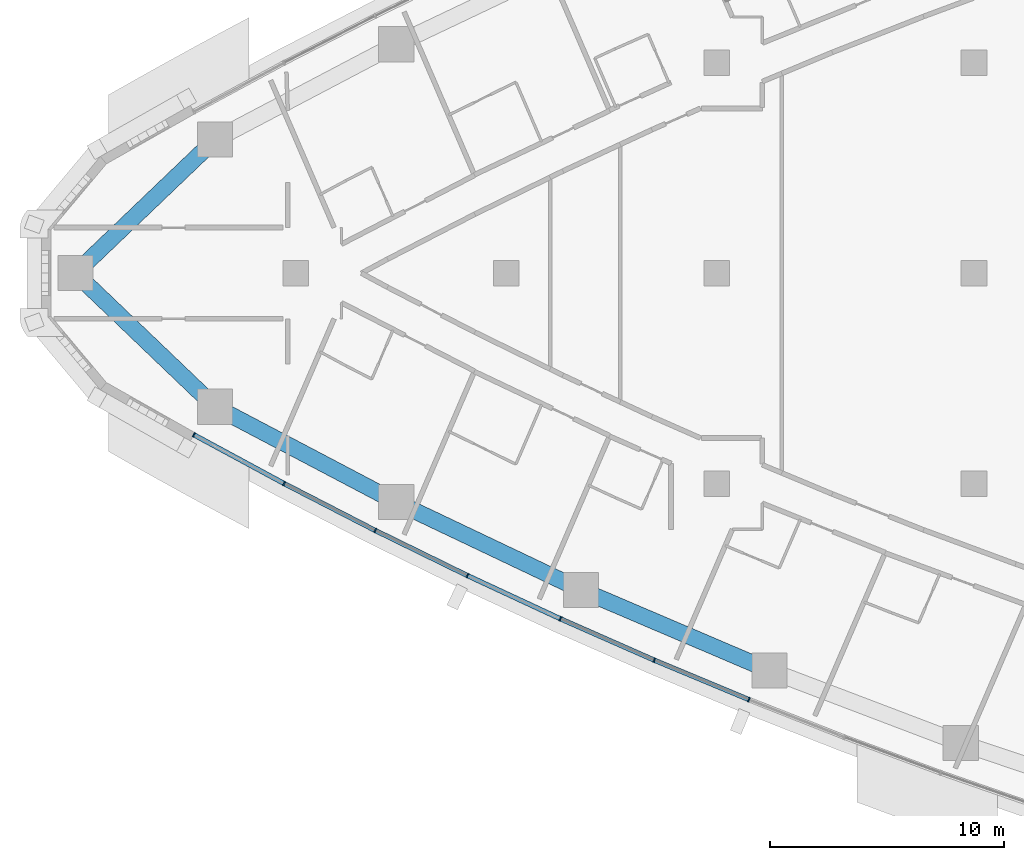
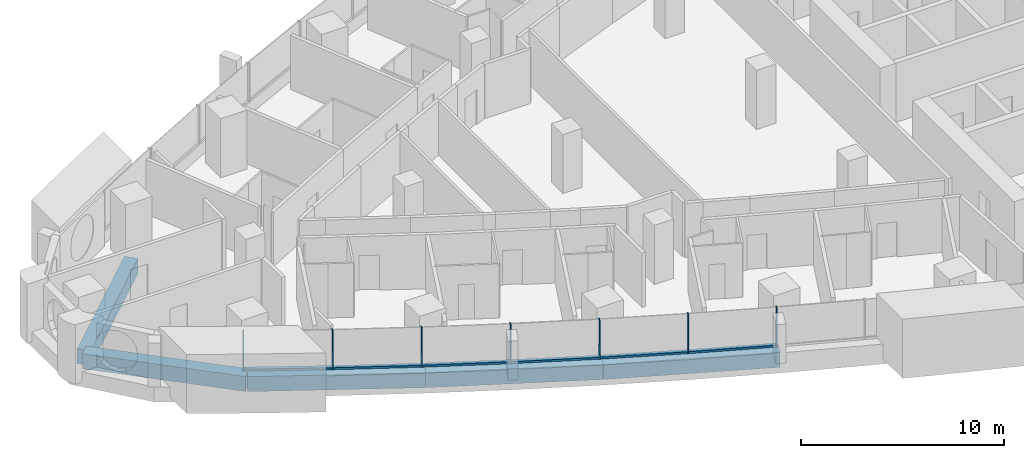
# One storey, part 2 of 17: 13 members, 5 beams, 3 elements without a shape of their own.
"""IFC4 building model written with IfcOpenShell, lengths in metres."""

from ifc_helpers import new_model, si_unit, direction, frame, origin, origin_2d, place, context, subcontext, project, spatial, rectangle, extrude, material, layer, layer_set, material_profile, profile_set, type_object, element, aggregate, save


model = new_model("IFC4")

# Units and contexts
model_context = context("Model", 3, precision=1e-05, world=origin(), true_north=direction((0.0, 1.0)))
body_context = subcontext(model_context, "Body", "Model", "MODEL_VIEW")
ifc_project = project(units=[si_unit("LENGTHUNIT", "METRE"), si_unit("AREAUNIT", "SQUARE_METRE"), si_unit("VOLUMEUNIT", "CUBIC_METRE"), si_unit("PLANEANGLEUNIT", "RADIAN"), si_unit("MASSUNIT", "GRAM", prefix="KILO")], contexts=[model_context])

# Site, building, storey
site_placement = place(None, origin())
site = spatial("IfcSite", under=ifc_project, at=site_placement, CompositionType="ELEMENT")
building_placement = place(site_placement, origin())
building = spatial("IfcBuilding", under=site, at=building_placement, Name="Ostrand Prow Hotel Tower", CompositionType="ELEMENT")
storey_placement = place(building_placement, frame((0.0, 0.0, 151.5)))
storey = spatial("IfcBuildingStorey", under=building, at=storey_placement, Name="L37", CompositionType="ELEMENT", Elevation=151.5)

# Beams
ifc_material_1 = material(Name="Concrete C70/85", Category="concrete")
ifc_material_profile_1 = material_profile(ifc_material_1, rectangle(XDim=0.699951171875, YDim=0.89990234375, at=origin_2d()), Name="RC 700x900")
ifc_profile_set_1 = profile_set([ifc_material_profile_1], Name="Concrete C70/85")
beam_type = type_object("IfcBeamType", Name="Edge beam 700x900 C70/85", PredefinedType="SPANDREL", material=ifc_profile_set_1)
beam_1_placement = place(storey_placement, frame((6.580078125, 0.0, -0.75), z_axis=(0.722689968521, -0.691172344209, 0.0), x_axis=(0.691172344209, 0.722689968521, 0.0)))
element("IfcBeam", 1, at=beam_1_placement, inside=storey, type_object=beam_type, Name="Edge beam P-S1", PredefinedType="SPANDREL", context=body_context, shape_type="SweptSolid", body=[
    extrude(rectangle(XDim=0.699951171875, YDim=0.89990234375, at=origin_2d()), origin(), (0.0, 0.0, 1.0), 8.26513671875),
])
for number, where, z_axis, x_axis, name in (
    (2, (12.55322265625, -5.712646484375, -0.75), (0.885016215308, -0.465560198731, 0.0), (0.465560198731, 0.885016215308, 0.0), "Edge beam S1-S2"),
    (3, (20.300048828125, -9.787841796875, -0.75), (0.903083113352, -0.429465819803, 0.0), (0.429465819803, 0.903083113352, 0.0), "Edge beam S2-S3"),
    (4, (28.205078125, -13.547119140625, -0.75), (0.919700966994, -0.392619575811, 0.0), (0.392619575811, 0.919700966994, 0.0), "Edge beam S3-S4"),
):
    element("IfcBeam", number, at=place(storey_placement, frame(where, z_axis=z_axis, x_axis=x_axis)), inside=storey, type_object=beam_type, Name=name, PredefinedType="SPANDREL", context=body_context, shape_type="SweptSolid", body=[
        extrude(rectangle(XDim=0.699951171875, YDim=0.89990234375, at=origin_2d()), origin(), (0.0, 0.0, 1.0), 8.75341796875),
    ])
beam_2_placement = place(storey_placement, frame((12.55322265625, 5.712646484375, -0.75), z_axis=(-0.722689968521, -0.691172344209, 0.0), x_axis=(0.691172344209, -0.722689968521, 0.0)))
element("IfcBeam", 5, at=beam_2_placement, inside=storey, type_object=beam_type, Name="Edge beam N6-P", PredefinedType="SPANDREL", context=body_context, shape_type="SweptSolid", body=[
    extrude(rectangle(XDim=0.699951171875, YDim=0.89990234375, at=origin_2d()), origin(), (0.0, 0.0, 1.0), 8.26513671875),
])

# Curtain wall, members
ifc_material_2 = material(Name="Insulated glass in bronze anodised frame", Category="glass")
ifc_layer = layer(ifc_material_2, 0.199951171875)
ifc_layer_set = layer_set([ifc_layer], Name="Insulated glass in bronze anodised frame")
curtain_wall_type = type_object("IfcCurtainWallType", Name="Strip curtain wall, fritted glass over bronze spandrel", PredefinedType="NOTDEFINED", material=ifc_layer_set)
curtain_wall_1_placement = place(storey_placement, origin())
curtain_wall_1 = element("IfcCurtainWall", 6, at=curtain_wall_1_placement, inside=storey, type_object=curtain_wall_type, Name="CW1 run CWS1", PredefinedType="NOTDEFINED")
ifc_material_3 = material(Name="Bronze anodised aluminium", Category="aluminium")
ifc_material_profile_2 = material_profile(ifc_material_3, rectangle(XDim=0.199951171875, YDim=0.06005859375, at=origin_2d()), Name="Mullion 60x200 bronze anodised aluminium")
ifc_profile_set_2 = profile_set([ifc_material_profile_2], Name="Bronze anodised aluminium")
member_type_1 = type_object("IfcMemberType", Name="Mullion 60x200 bronze anodised aluminium", PredefinedType="MULLION", material=ifc_profile_set_2)
member_1_placement = place(storey_placement, frame((11.64306640625, -6.909423828125, 0.89990234375), z_axis=(0.0, 0.0, 1.0), x_axis=(0.475393901316, 0.879773060847, 0.0)))
member_1 = element("IfcMember", 7, at=member_1_placement, type_object=member_type_1, Name="CW1 mullion 1", PredefinedType="MULLION", context=body_context, shape_type="SweptSolid", body=[
    extrude(rectangle(XDim=0.199951171875, YDim=0.06005859375, at=origin_2d()), origin(), (0.0, 0.0, 1.0), 2.35009765625),
])
member_2_placement = place(storey_placement, frame((15.501708984375, -8.99462890625, 0.89990234375), z_axis=(0.0, 0.0, 1.0), x_axis=(0.457619429434, 0.889148164146, 0.0)))
member_2 = element("IfcMember", 8, at=member_2_placement, type_object=member_type_1, Name="CW1 mullion 2", PredefinedType="MULLION", context=body_context, shape_type="SweptSolid", body=[
    extrude(rectangle(XDim=0.199951171875, YDim=0.06005859375, at=origin_2d()), origin(), (0.0, 0.0, 1.0), 2.35009765625),
])
member_3_placement = place(storey_placement, frame((19.401611328125, -11.001708984375, 0.89990234375), z_axis=(0.0, 0.0, 1.0), x_axis=(0.457619429434, 0.889148164146, 0.0)))
member_3 = element("IfcMember", 9, at=member_3_placement, type_object=member_type_1, Name="CW1 mullion 3", PredefinedType="MULLION", context=body_context, shape_type="SweptSolid", body=[
    extrude(rectangle(XDim=0.199951171875, YDim=0.06005859375, at=origin_2d()), origin(), (0.0, 0.0, 1.0), 2.35009765625),
])

curtain_wall_2_placement = place(storey_placement, origin())
curtain_wall_2 = element("IfcCurtainWall", 10, at=curtain_wall_2_placement, inside=storey, type_object=curtain_wall_type, Name="CW1 run CWS2", PredefinedType="NOTDEFINED")
member_4_placement = place(storey_placement, frame((23.341064453125, -12.93017578125, 0.89990234375), z_axis=(0.0, 0.0, 1.0), x_axis=(0.421521761673, 0.906818286337, 0.0)))
member_4 = element("IfcMember", 11, at=member_4_placement, type_object=member_type_1, Name="CW1 mullion 2", PredefinedType="MULLION", context=body_context, shape_type="SweptSolid", body=[
    extrude(rectangle(XDim=0.199951171875, YDim=0.06005859375, at=origin_2d()), origin(), (0.0, 0.0, 1.0), 2.35009765625),
])
member_5_placement = place(storey_placement, frame((27.318359375, -14.77880859375, 0.89990234375), z_axis=(0.0, 0.0, 1.0), x_axis=(0.421521761673, 0.906818286337, 0.0)))
member_5 = element("IfcMember", 12, at=member_5_placement, type_object=member_type_1, Name="CW1 mullion 3", PredefinedType="MULLION", context=body_context, shape_type="SweptSolid", body=[
    extrude(rectangle(XDim=0.199951171875, YDim=0.06005859375, at=origin_2d()), origin(), (0.0, 0.0, 1.0), 2.35009765625),
])

curtain_wall_3_placement = place(storey_placement, origin())
curtain_wall_3 = element("IfcCurtainWall", 13, at=curtain_wall_3_placement, inside=storey, type_object=curtain_wall_type, Name="CW1 run CWS3", PredefinedType="NOTDEFINED")
member_6_placement = place(storey_placement, frame((31.332275390625, -16.54736328125, 0.89990234375), z_axis=(0.0, 0.0, 1.0), x_axis=(0.384743220418, 0.92302364777, 0.0)))
member_6 = element("IfcMember", 14, at=member_6_placement, type_object=member_type_1, Name="CW1 mullion 2", PredefinedType="MULLION", context=body_context, shape_type="SweptSolid", body=[
    extrude(rectangle(XDim=0.199951171875, YDim=0.06005859375, at=origin_2d()), origin(), (0.0, 0.0, 1.0), 2.35009765625),
])
member_7_placement = place(storey_placement, frame((35.380615234375, -18.235107421875, 0.89990234375), z_axis=(0.0, 0.0, 1.0), x_axis=(0.384743220418, 0.92302364777, 0.0)))
member_7 = element("IfcMember", 15, at=member_7_placement, type_object=member_type_1, Name="CW1 mullion 3", PredefinedType="MULLION", context=body_context, shape_type="SweptSolid", body=[
    extrude(rectangle(XDim=0.199951171875, YDim=0.06005859375, at=origin_2d()), origin(), (0.0, 0.0, 1.0), 2.35009765625),
])

# Member
ifc_material_4 = material(Name="Bronze anodised aluminium", Category="aluminium")
ifc_material_profile_3 = material_profile(ifc_material_4, rectangle(XDim=0.199951171875, YDim=0.1201171875, at=origin_2d()), Name="Transom 120x200 bronze anodised aluminium")
ifc_profile_set_3 = profile_set([ifc_material_profile_3], Name="Bronze anodised aluminium")
member_type_2 = type_object("IfcMemberType", Name="Transom 120x200 bronze anodised aluminium", PredefinedType="USERDEFINED", material=ifc_profile_set_3)
member_8_placement = place(storey_placement, frame((11.66943359375, -6.923583984375, 0.9599609375), z_axis=(0.879765206929, -0.475408435639, 0.0), x_axis=(0.475408435639, 0.879765206929, 0.0)))
member_8 = element("IfcMember", 16, at=member_8_placement, type_object=member_type_2, Name="CW1 transom 1.1", ObjectType="TRANSOM", PredefinedType="USERDEFINED", context=body_context, shape_type="SweptSolid", body=[
    extrude(rectangle(XDim=0.199951171875, YDim=0.1201171875, at=origin_2d()), origin(), (0.0, 0.0, 1.0), 4.326171875),
])

member_9_placement = place(storey_placement, frame((15.528564453125, -9.00830078125, 0.9599609375), z_axis=(0.88914020052, -0.457634902318, 0.0), x_axis=(0.457634902318, 0.88914020052, 0.0)))
member_9 = element("IfcMember", 17, at=member_9_placement, type_object=member_type_2, Name="CW1 transom 2.1", ObjectType="TRANSOM", PredefinedType="USERDEFINED", context=body_context, shape_type="SweptSolid", body=[
    extrude(rectangle(XDim=0.199951171875, YDim=0.1201171875, at=origin_2d()), origin(), (0.0, 0.0, 1.0), 4.325927734375),
])

aggregate(curtain_wall_1, [member_1, member_2, member_3, member_8, member_9])

member_10_placement = place(storey_placement, frame((19.4287109375, -11.014892578125, 0.9599609375), z_axis=(0.89815413626, -0.439680733623, 0.0), x_axis=(0.439680733623, 0.89815413626, 0.0)))
member_10 = element("IfcMember", 18, at=member_10_placement, type_object=member_type_2, Name="CW1 transom 1.1", ObjectType="TRANSOM", PredefinedType="USERDEFINED", context=body_context, shape_type="SweptSolid", body=[
    extrude(rectangle(XDim=0.199951171875, YDim=0.1201171875, at=origin_2d()), origin(), (0.0, 0.0, 1.0), 4.326171875),
])

member_11_placement = place(storey_placement, frame((23.368408203125, -12.942626953125, 0.9599609375), z_axis=(0.906796377468, -0.421568890944, 0.0), x_axis=(0.421568890944, 0.906796377468, 0.0)))
member_11 = element("IfcMember", 19, at=member_11_placement, type_object=member_type_2, Name="CW1 transom 2.1", ObjectType="TRANSOM", PredefinedType="USERDEFINED", context=body_context, shape_type="SweptSolid", body=[
    extrude(rectangle(XDim=0.199951171875, YDim=0.1201171875, at=origin_2d()), origin(), (0.0, 0.0, 1.0), 4.326171875),
])

aggregate(curtain_wall_2, [member_4, member_5, member_10, member_11])

member_12_placement = place(storey_placement, frame((27.345947265625, -14.791015625, 0.9599609375), z_axis=(0.91509853977, -0.403230284715, 0.0), x_axis=(0.403230284715, 0.91509853977, 0.0)))
member_12 = element("IfcMember", 20, at=member_12_placement, type_object=member_type_2, Name="CW1 transom 1.1", ObjectType="TRANSOM", PredefinedType="USERDEFINED", context=body_context, shape_type="SweptSolid", body=[
    extrude(rectangle(XDim=0.199951171875, YDim=0.1201171875, at=origin_2d()), origin(), (0.0, 0.0, 1.0), 4.325927734375),
])

member_13_placement = place(storey_placement, frame((31.35986328125, -16.55908203125, 0.9599609375), z_axis=(0.923028493412, -0.384731595206, 0.0), x_axis=(0.384731595206, 0.923028493412, 0.0)))
member_13 = element("IfcMember", 21, at=member_13_placement, type_object=member_type_2, Name="CW1 transom 2.1", ObjectType="TRANSOM", PredefinedType="USERDEFINED", context=body_context, shape_type="SweptSolid", body=[
    extrude(rectangle(XDim=0.199951171875, YDim=0.1201171875, at=origin_2d()), origin(), (0.0, 0.0, 1.0), 4.325927734375),
])

aggregate(curtain_wall_3, [member_6, member_7, member_12, member_13])

save(model, "model.ifc")
